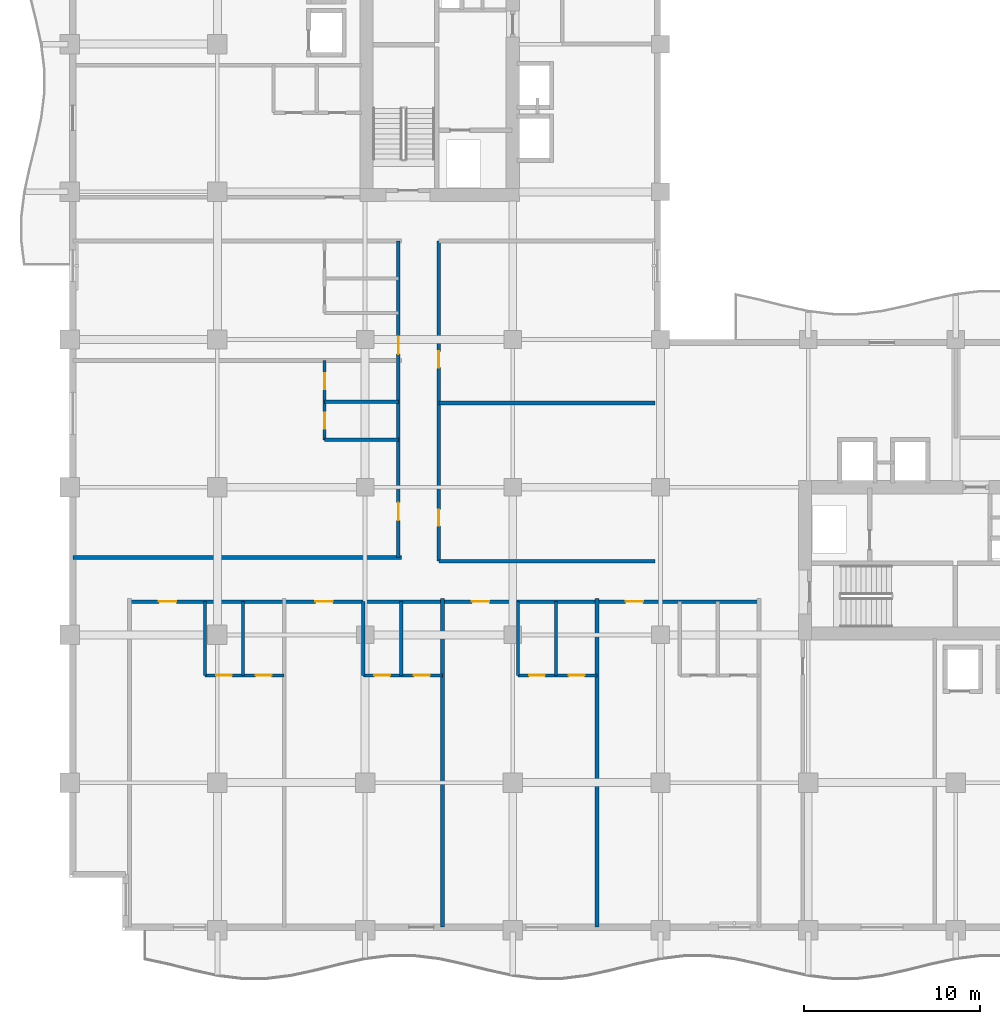
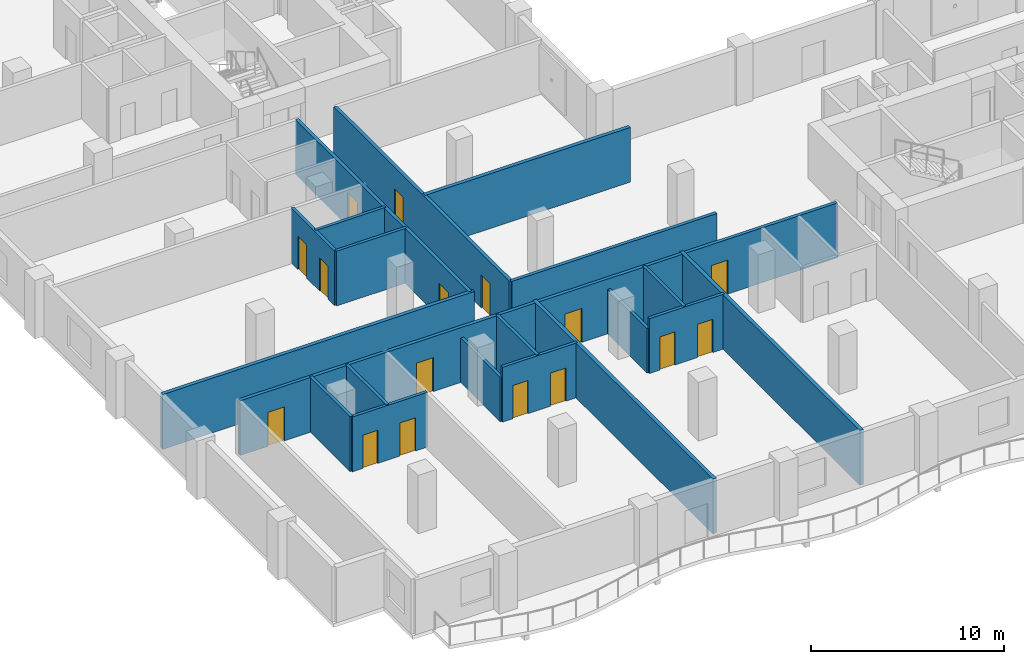
# One storey, part 4 of 16: 20 walls, 16 doors, 16 openings.
"""IFC4 building model written with IfcOpenShell, lengths in metres."""

import ifcopenshell
import ifcopenshell.guid

model = None  # the IFC model being written
_history = None  # IfcOwnerHistory: only IFC2X3 demands one
_inside = {}  # id of a spatial element -> (the spatial element, [elements in it])
_under = {}  # id of a project, library or spatial element -> (it, [spatial elements below it])
_declared = {}  # id of a project -> (the project, [libraries it declares])
_typed = {}  # id of a type object -> (the type object, [elements of that type])
_made_of = {}  # id of a material, layer set ... -> (it, [elements and type objects made of it])


def new_model(schema):
    """Start an empty IFC model of exactly this schema.

    Asked for "IFC4X3", IfcOpenShell would pick the latest addendum, in which some entities
    have other attributes; the version numbers below select the first issue.
    IFC2X3 requires an IfcOwnerHistory on every rooted entity: one is made here for all.
    """
    global model, _history
    if schema == "IFC4X3":
        model = ifcopenshell.file(schema_version=(4, 3, 0, 0))
    else:
        model = ifcopenshell.file(schema=schema)
    _inside.clear()
    _under.clear()
    _declared.clear()
    _typed.clear()
    _made_of.clear()
    _history = None
    if model.schema == "IFC2X3":
        org = make("IfcOrganization", Name="unknown")
        user = make(
            "IfcPersonAndOrganization",
            ThePerson=make("IfcPerson", FamilyName="unknown"),
            TheOrganization=org,
        )
        app = make(
            "IfcApplication",
            ApplicationDeveloper=org,
            Version="unknown",
            ApplicationFullName="unknown",
            ApplicationIdentifier="unknown",
        )
        _history = make(
            "IfcOwnerHistory",
            OwningUser=user,
            OwningApplication=app,
            ChangeAction="ADDED",
            CreationDate=0,
        )
    return model


def make(cls, **values):
    """One entity of the class cls with the attributes given. An attribute that is None is left unset."""
    return model.create_entity(
        cls, **{name: value for name, value in values.items() if value is not None}
    )


def rooted(cls, **values):
    """An entity with a GlobalId (a new one), such as an element, a storey or a relation."""
    return make(cls, GlobalId=ifcopenshell.guid.new(), OwnerHistory=_history, **values)


def si_unit(unit_type, name, prefix=None):
    """IfcSIUnit, for example si_unit("LENGTHUNIT", "METRE", prefix="MILLI")."""
    return make("IfcSIUnit", UnitType=unit_type, Prefix=prefix, Name=name)


def assignment(units):
    """IfcUnitAssignment: the units of a project."""
    return None if units is None else make("IfcUnitAssignment", Units=units)


def point(xyz):
    """IfcCartesianPoint."""
    return None if xyz is None else make("IfcCartesianPoint", Coordinates=xyz)


def direction(xyz):
    """IfcDirection."""
    return None if xyz is None else make("IfcDirection", DirectionRatios=xyz)


def frame(location, z_axis=None, x_axis=None):
    """IfcAxis2Placement3D, a coordinate frame: its origin and axes. An axis left out is left unset."""
    return make(
        "IfcAxis2Placement3D",
        Location=point(location),
        Axis=direction(z_axis),
        RefDirection=direction(x_axis),
    )


def frame_2d(location, x_axis=None):
    """IfcAxis2Placement2D, a coordinate frame in the plane: its origin and x axis."""
    return make(
        "IfcAxis2Placement2D", Location=point(location), RefDirection=direction(x_axis)
    )


def origin():
    """The frame at (0, 0, 0) with its axes left unset."""
    return frame((0.0, 0.0, 0.0))


def place(relative_to, where):
    """IfcLocalPlacement: puts the frame where relative to a parent placement (None: the world)."""
    return make(
        "IfcLocalPlacement", PlacementRelTo=relative_to, RelativePlacement=where
    )


def context(
    kind, dimensions, precision=None, world=None, true_north=None, identifier=None
):
    """IfcGeometricRepresentationContext, for example the 3D "Model" context."""
    return make(
        "IfcGeometricRepresentationContext",
        ContextIdentifier=identifier,
        ContextType=kind,
        CoordinateSpaceDimension=dimensions,
        Precision=precision,
        WorldCoordinateSystem=world,
        TrueNorth=true_north,
    )


def subcontext(parent, identifier, kind, view, scale=None):
    """IfcGeometricRepresentationSubContext, for example "Body" below "Model"."""
    return make(
        "IfcGeometricRepresentationSubContext",
        ContextIdentifier=identifier,
        ContextType=kind,
        ParentContext=parent,
        TargetScale=scale,
        TargetView=view,
    )


def project(units=None, contexts=None):
    """IfcProject with its units and contexts."""
    return rooted(
        "IfcProject",
        Name="project",
        RepresentationContexts=contexts,
        UnitsInContext=assignment(units),
    )


def spatial(cls, under=None, at=None, **own):
    """A site, building, storey or space (cls), placed at a placement, below another one or the project."""
    s = rooted(cls, ObjectPlacement=at, **own)
    if under is not None:
        _under.setdefault(under.id(), (under, []))[1].append(s)
    return s


def profile(cls, at=None, kind="AREA", **sizes):
    """A parametric profile (cls). Its sizes go by their IFC names, for example OverallWidth=200.0."""
    return make(cls, ProfileType=kind, Position=at, **sizes)


def rectangle(**sizes):
    """IfcRectangleProfileDef."""
    return profile("IfcRectangleProfileDef", **sizes)


def extrude(swept, where, along, depth):
    """IfcExtrudedAreaSolid: the profile swept, set in the frame where, extruded along a direction by depth."""
    return make(
        "IfcExtrudedAreaSolid",
        SweptArea=swept,
        Position=where,
        ExtrudedDirection=direction(along),
        Depth=depth,
    )


def shape(context_of_items, identifier, shape_type, items):
    """IfcShapeRepresentation: the items that make up one representation, for example the "Body"."""
    return make(
        "IfcShapeRepresentation",
        ContextOfItems=context_of_items,
        RepresentationIdentifier=identifier,
        RepresentationType=shape_type,
        Items=items,
    )


def material(Name=None, Category=None):
    """IfcMaterial."""
    return make("IfcMaterial", Name=Name, Category=Category)


def layer(
    of_material, thickness, ventilated=None, Name=None, Category=None, Priority=None
):
    """IfcMaterialLayer: one layer of a wall or slab, of a material (None: an air gap)."""
    return make(
        "IfcMaterialLayer",
        Material=of_material,
        LayerThickness=thickness,
        IsVentilated=ventilated,
        Name=Name,
        Category=Category,
        Priority=Priority,
    )


def layer_set(layers, Name=None):
    """IfcMaterialLayerSet."""
    return make("IfcMaterialLayerSet", MaterialLayers=layers, LayerSetName=Name)


def made_of(thing, what):
    """Note that an element or type object is made of a material, layer set ...; save() writes the relation."""
    if what is not None:
        _made_of.setdefault(what.id(), (what, []))[1].append(thing)
    return thing


def type_object(cls, material=None, **own):
    """A type object (cls), such as IfcWallType, which elements share."""
    return made_of(rooted(cls, **own), material)


def element(
    cls,
    number,
    at=None,
    inside=None,
    cuts=None,
    type_object=None,
    material=None,
    context=None,
    identifier="Body",
    shape_type=None,
    held_by="IfcProductDefinitionShape",
    body=None,
    shapes=None,
    **own,
):
    """One element of the class cls, such as IfcWall. Its Tag is "e" and its number.

    at: its placement. inside: the storey or other place that contains it. cuts: it is an
    opening in that element (IfcRelVoidsElement). A single representation is given by context,
    identifier, shape_type and body (its items); several are given by shapes. held_by: the class
    of the entity that holds the representations. save() writes the other relations.
    """
    e = rooted(cls, Tag="e%d" % number, ObjectPlacement=at, **own)
    if body is not None:
        shapes = [shape(context, identifier, shape_type, body)]
    if shapes is not None:
        e.Representation = make(held_by, Representations=shapes)
    if inside is not None:
        _inside.setdefault(inside.id(), (inside, []))[1].append(e)
    if cuts is not None:
        rooted(
            "IfcRelVoidsElement", RelatingBuildingElement=cuts, RelatedOpeningElement=e
        )
    if type_object is not None:
        _typed.setdefault(type_object.id(), (type_object, []))[1].append(e)
    return made_of(e, material)


def fill(opening, filler):
    """IfcRelFillsElement: the door or window that sits in an opening."""
    return rooted(
        "IfcRelFillsElement",
        RelatingOpeningElement=opening,
        RelatedBuildingElement=filler,
    )


def aggregate(whole, parts):
    """IfcRelAggregates: a whole, such as a stair, and the parts it consists of."""
    return rooted("IfcRelAggregates", RelatingObject=whole, RelatedObjects=parts)


def save(model, path):
    """Write the relations noted so far, then the file.

    IfcRelAggregates (storeys below a building ...), IfcRelContainedInSpatialStructure (elements
    in a storey), IfcRelDefinesByType, IfcRelAssociatesMaterial and IfcRelDeclares: one each for
    every whole, place, type object, material and project.
    """
    for whole, parts in _under.values():
        aggregate(whole, parts)
    for where, things in _inside.values():
        rooted(
            "IfcRelContainedInSpatialStructure",
            RelatedElements=things,
            RelatingStructure=where,
        )
    for kind, things in _typed.values():
        rooted("IfcRelDefinesByType", RelatedObjects=things, RelatingType=kind)
    for what, things in _made_of.values():
        rooted("IfcRelAssociatesMaterial", RelatedObjects=things, RelatingMaterial=what)
    for by, libraries in _declared.values():
        rooted("IfcRelDeclares", RelatingContext=by, RelatedDefinitions=libraries)
    model.write(path)


model = new_model("IFC4")

# Units and contexts
model_context = context("Model", 3, precision=1e-05, world=origin(), true_north=direction((0.0, 1.0)))
body_context = subcontext(model_context, "Body", "Model", "MODEL_VIEW")
ifc_project = project(units=[si_unit("LENGTHUNIT", "METRE"), si_unit("AREAUNIT", "SQUARE_METRE"), si_unit("VOLUMEUNIT", "CUBIC_METRE"), si_unit("PLANEANGLEUNIT", "RADIAN"), si_unit("MASSUNIT", "GRAM", prefix="KILO")], contexts=[model_context])

# Site, building, storey
site_placement = place(None, origin())
site = spatial("IfcSite", under=ifc_project, at=site_placement, CompositionType="ELEMENT")
building_placement = place(site_placement, origin())
building = spatial("IfcBuilding", under=site, at=building_placement, Name="Koriwani Terraces Tower", CompositionType="ELEMENT")
storey_placement = place(building_placement, frame((0.0, 0.0, 171.699951171875)))
storey = spatial("IfcBuildingStorey", under=building, at=storey_placement, Name="L41", CompositionType="ELEMENT", Elevation=171.699951171875)

# Wall, openings, doors
ifc_material_1 = material(Name="Autoclaved Cellular Concrete Blockwork", Category="masonry")
ifc_layer_1 = layer(ifc_material_1, 0.199951171875, Name="Autoclaved Cellular Concrete Blockwork")
ifc_layer_set_1 = layer_set([ifc_layer_1], Name="Autoclaved Cellular Concrete Blockwork")
wall_type_1 = type_object("IfcWallType", Name="WALL_CORRIDOR_200", PredefinedType="PARTITIONING", material=ifc_layer_set_1)
wall_1_placement = place(storey_placement, frame((21.0, 21.0, 0.0), z_axis=(0.0, 0.0, 1.0), x_axis=(0.0, 1.0, 0.0)))
wall_1 = element("IfcWall", 1, at=wall_1_placement, inside=storey, type_object=wall_type_1, Name="L41 Interior Wall WIC2-W-L41", PredefinedType="PARTITIONING", context=body_context, shape_type="SweptSolid", body=[
    extrude(rectangle(XDim=18.199951171875, YDim=0.199951171875, at=frame_2d((9.10009765625, 0.0))), origin(), (0.0, 0.0, 1.0), 3.469970703125),
])
opening_1_placement = place(wall_1_placement, frame((2.0, 0.0, 0.0)))
opening_1 = element("IfcOpeningElement", 2, at=opening_1_placement, cuts=wall_1, Name="Opening D-06", PredefinedType="OPENING", context=body_context, shape_type="SweptSolid", body=[
    extrude(rectangle(XDim=0.919921875, YDim=2.10009765625, at=frame_2d((0.4599609375, 1.050048828125))), frame((0.0, 0.10986328125, 0.0), z_axis=(0.0, -1.0, 0.0), x_axis=(1.0, 0.0, 0.0)), (0.0, 0.0, 1.0), 0.219970703125),
])
opening_2_placement = place(wall_1_placement, frame((11.0, 0.0, 0.0)))
opening_2 = element("IfcOpeningElement", 3, at=opening_2_placement, cuts=wall_1, Name="Opening D-06", PredefinedType="OPENING", context=body_context, shape_type="SweptSolid", body=[
    extrude(rectangle(XDim=0.919921875, YDim=2.10009765625, at=frame_2d((0.4599609375, 1.050048828125))), frame((0.0, 0.10986328125, 0.0), z_axis=(0.0, -1.0, 0.0), x_axis=(1.0, 0.0, 0.0)), (0.0, 0.0, 1.0), 0.219970703125),
])
ifc_material_2 = material(Name="Architectural Oak Fire Door", Category="wood")
door_type_1 = type_object("IfcDoorType", Name="DOOR_ROOM_INT_920X2100", OperationType="NOTDEFINED", PredefinedType="DOOR", material=ifc_material_2)
door_1_placement = place(opening_1_placement, origin())
door_1 = element("IfcDoor", 4, at=door_1_placement, inside=storey, type_object=door_type_1, Name="L41 Inner Court Salon Door", OperationType="SINGLE_SWING_LEFT", OverallHeight=2.10009765625, OverallWidth=0.919921875, PredefinedType="DOOR", context=body_context, shape_type="SweptSolid", body=[
    extrude(rectangle(XDim=0.919921875, YDim=2.10009765625, at=frame_2d((0.4599609375, 1.050048828125))), frame((0.0, 0.02490234375, 0.0), z_axis=(0.0, -1.0, 0.0), x_axis=(1.0, 0.0, 0.0)), (0.0, 0.0, 1.0), 0.050048828125),
])
fill(opening_1, door_1)
door_2_placement = place(opening_2_placement, origin())
door_2 = element("IfcDoor", 5, at=door_2_placement, inside=storey, type_object=door_type_1, Name="L41 Inner Court Media Room Door", OperationType="SINGLE_SWING_RIGHT", OverallHeight=2.10009765625, OverallWidth=0.919921875, PredefinedType="DOOR", context=body_context, shape_type="SweptSolid", body=[
    extrude(rectangle(XDim=0.919921875, YDim=2.10009765625, at=frame_2d((0.4599609375, 1.050048828125))), frame((0.0, 0.02490234375, 0.0), z_axis=(0.0, -1.0, 0.0), x_axis=(1.0, 0.0, 0.0)), (0.0, 0.0, 1.0), 0.050048828125),
])
fill(opening_2, door_2)

# Wall
wall_2_placement = place(storey_placement, frame((21.0, 21.0, 0.0), z_axis=(0.0, 0.0, 1.0), x_axis=(1.0, 0.0, 0.0)))
element("IfcWall", 6, at=wall_2_placement, inside=storey, type_object=wall_type_1, Name="L41 Interior Wall WIC2-S-L41", PredefinedType="PARTITIONING", context=body_context, shape_type="SweptSolid", body=[
    extrude(rectangle(XDim=12.300048828125, YDim=0.199951171875, at=frame_2d((6.14990234375, 0.0))), origin(), (0.0, 0.0, 1.0), 3.469970703125),
])

# Wall, openings, doors
wall_3_placement = place(storey_placement, frame((3.39990234375, 18.699951171875, 0.0), z_axis=(0.0, 0.0, 1.0), x_axis=(1.0, 0.0, 0.0)))
wall_3 = element("IfcWall", 7, at=wall_3_placement, inside=storey, type_object=wall_type_1, Name="L41 Interior Wall WRCOR-L41-SW-0", PredefinedType="PARTITIONING", context=body_context, shape_type="SweptSolid", body=[
    extrude(rectangle(XDim=35.800048828125, YDim=0.199951171875, at=frame_2d((17.89990234375, 0.0))), origin(), (0.0, 0.0, 1.0), 3.469970703125),
])
opening_3_placement = place(wall_3_placement, frame((1.669921875, 0.0, 0.0)))
opening_3 = element("IfcOpeningElement", 8, at=opening_3_placement, cuts=wall_3, Name="Opening D-05", PredefinedType="OPENING", context=body_context, shape_type="SweptSolid", body=[
    extrude(rectangle(XDim=1.0, YDim=2.14990234375, at=frame_2d((0.5, 1.074951171875))), frame((0.0, 0.10986328125, 0.0), z_axis=(0.0, -1.0, 0.0), x_axis=(1.0, 0.0, 0.0)), (0.0, 0.0, 1.0), 0.219970703125),
])
opening_4_placement = place(wall_3_placement, frame((10.570068359375, 0.0, 0.0)))
opening_4 = element("IfcOpeningElement", 9, at=opening_4_placement, cuts=wall_3, Name="Opening D-05", PredefinedType="OPENING", context=body_context, shape_type="SweptSolid", body=[
    extrude(rectangle(XDim=1.0, YDim=2.14990234375, at=frame_2d((0.5, 1.074951171875))), frame((0.0, 0.10986328125, 0.0), z_axis=(0.0, -1.0, 0.0), x_axis=(1.0, 0.0, 0.0)), (0.0, 0.0, 1.0), 0.219970703125),
])
opening_5_placement = place(wall_3_placement, frame((19.469970703125, 0.0, 0.0)))
opening_5 = element("IfcOpeningElement", 10, at=opening_5_placement, cuts=wall_3, Name="Opening D-05", PredefinedType="OPENING", context=body_context, shape_type="SweptSolid", body=[
    extrude(rectangle(XDim=1.0, YDim=2.14990234375, at=frame_2d((0.5, 1.074951171875))), frame((0.0, 0.10986328125, 0.0), z_axis=(0.0, -1.0, 0.0), x_axis=(1.0, 0.0, 0.0)), (0.0, 0.0, 1.0), 0.219970703125),
])
opening_6_placement = place(wall_3_placement, frame((28.219970703125, 0.0, 0.0)))
opening_6 = element("IfcOpeningElement", 11, at=opening_6_placement, cuts=wall_3, Name="Opening D-05", PredefinedType="OPENING", context=body_context, shape_type="SweptSolid", body=[
    extrude(rectangle(XDim=1.0, YDim=2.14990234375, at=frame_2d((0.5, 1.074951171875))), frame((0.0, 0.10986328125, 0.0), z_axis=(0.0, -1.0, 0.0), x_axis=(1.0, 0.0, 0.0)), (0.0, 0.0, 1.0), 0.219970703125),
])
door_type_2 = type_object("IfcDoorType", Name="DOOR_SUITE_ENTRY_1000X2150", OperationType="NOTDEFINED", PredefinedType="DOOR", material=ifc_material_2)
door_3_placement = place(opening_3_placement, origin())
door_3 = element("IfcDoor", 12, at=door_3_placement, inside=storey, type_object=door_type_2, Name="Apartment 41SW1 Entrance Door", OperationType="SINGLE_SWING_LEFT", OverallHeight=2.14990234375, OverallWidth=1.0, PredefinedType="DOOR", context=body_context, shape_type="SweptSolid", body=[
    extrude(rectangle(XDim=1.0, YDim=2.14990234375, at=frame_2d((0.5, 1.074951171875))), frame((0.0, 0.02490234375, 0.0), z_axis=(0.0, -1.0, 0.0), x_axis=(1.0, 0.0, 0.0)), (0.0, 0.0, 1.0), 0.050048828125),
])
fill(opening_3, door_3)
door_4_placement = place(opening_4_placement, origin())
door_4 = element("IfcDoor", 13, at=door_4_placement, inside=storey, type_object=door_type_2, Name="Apartment 41SW2 Entrance Door", OperationType="SINGLE_SWING_RIGHT", OverallHeight=2.14990234375, OverallWidth=1.0, PredefinedType="DOOR", context=body_context, shape_type="SweptSolid", body=[
    extrude(rectangle(XDim=1.0, YDim=2.14990234375, at=frame_2d((0.5, 1.074951171875))), frame((0.0, 0.02490234375, 0.0), z_axis=(0.0, -1.0, 0.0), x_axis=(1.0, 0.0, 0.0)), (0.0, 0.0, 1.0), 0.050048828125),
])
fill(opening_4, door_4)
door_5_placement = place(opening_5_placement, origin())
door_5 = element("IfcDoor", 14, at=door_5_placement, inside=storey, type_object=door_type_2, Name="Apartment 41SW3 Entrance Door", OperationType="SINGLE_SWING_LEFT", OverallHeight=2.14990234375, OverallWidth=1.0, PredefinedType="DOOR", context=body_context, shape_type="SweptSolid", body=[
    extrude(rectangle(XDim=1.0, YDim=2.14990234375, at=frame_2d((0.5, 1.074951171875))), frame((0.0, 0.02490234375, 0.0), z_axis=(0.0, -1.0, 0.0), x_axis=(1.0, 0.0, 0.0)), (0.0, 0.0, 1.0), 0.050048828125),
])
fill(opening_5, door_5)
door_6_placement = place(opening_6_placement, origin())
door_6 = element("IfcDoor", 15, at=door_6_placement, inside=storey, type_object=door_type_2, Name="Apartment 41SW4 Entrance Door", OperationType="SINGLE_SWING_RIGHT", OverallHeight=2.14990234375, OverallWidth=1.0, PredefinedType="DOOR", context=body_context, shape_type="SweptSolid", body=[
    extrude(rectangle(XDim=1.0, YDim=2.14990234375, at=frame_2d((0.5, 1.074951171875))), frame((0.0, 0.02490234375, 0.0), z_axis=(0.0, -1.0, 0.0), x_axis=(1.0, 0.0, 0.0)), (0.0, 0.0, 1.0), 0.050048828125),
])
fill(opening_6, door_6)

wall_4_placement = place(storey_placement, frame((18.699951171875, 21.199951171875, 0.0), z_axis=(0.0, 0.0, 1.0), x_axis=(0.0, 1.0, 0.0)))
wall_4 = element("IfcWall", 16, at=wall_4_placement, inside=storey, type_object=wall_type_1, Name="L41 Interior Wall WRCOR-L41-NW-0", PredefinedType="PARTITIONING", context=body_context, shape_type="SweptSolid", body=[
    extrude(rectangle(XDim=18.0, YDim=0.199951171875, at=frame_2d((9.0, 0.0))), origin(), (0.0, 0.0, 1.0), 3.469970703125),
])
opening_7_placement = place(wall_4_placement, frame((2.1201171875, 0.0, 0.0)))
opening_7 = element("IfcOpeningElement", 17, at=opening_7_placement, cuts=wall_4, Name="Opening D-05", PredefinedType="OPENING", context=body_context, shape_type="SweptSolid", body=[
    extrude(rectangle(XDim=1.0, YDim=2.14990234375, at=frame_2d((0.5, 1.074951171875))), frame((0.0, 0.10986328125, 0.0), z_axis=(0.0, -1.0, 0.0), x_axis=(1.0, 0.0, 0.0)), (0.0, 0.0, 1.0), 0.219970703125),
])
opening_8_placement = place(wall_4_placement, frame((11.570068359375, 0.0, 0.0)))
opening_8 = element("IfcOpeningElement", 18, at=opening_8_placement, cuts=wall_4, Name="Opening D-05", PredefinedType="OPENING", context=body_context, shape_type="SweptSolid", body=[
    extrude(rectangle(XDim=1.0, YDim=2.14990234375, at=frame_2d((0.5, 1.074951171875))), frame((0.0, 0.10986328125, 0.0), z_axis=(0.0, -1.0, 0.0), x_axis=(1.0, 0.0, 0.0)), (0.0, 0.0, 1.0), 0.219970703125),
])
door_7_placement = place(opening_7_placement, origin())
door_7 = element("IfcDoor", 19, at=door_7_placement, inside=storey, type_object=door_type_2, Name="Apartment 41NW1 Entrance Door", OperationType="SINGLE_SWING_LEFT", OverallHeight=2.14990234375, OverallWidth=1.0, PredefinedType="DOOR", context=body_context, shape_type="SweptSolid", body=[
    extrude(rectangle(XDim=1.0, YDim=2.14990234375, at=frame_2d((0.5, 1.074951171875))), frame((0.0, 0.02490234375, 0.0), z_axis=(0.0, -1.0, 0.0), x_axis=(1.0, 0.0, 0.0)), (0.0, 0.0, 1.0), 0.050048828125),
])
fill(opening_7, door_7)
door_8_placement = place(opening_8_placement, origin())
door_8 = element("IfcDoor", 20, at=door_8_placement, inside=storey, type_object=door_type_2, Name="Apartment 41NW2 Entrance Door", OperationType="SINGLE_SWING_RIGHT", OverallHeight=2.14990234375, OverallWidth=1.0, PredefinedType="DOOR", context=body_context, shape_type="SweptSolid", body=[
    extrude(rectangle(XDim=1.0, YDim=2.14990234375, at=frame_2d((0.5, 1.074951171875))), frame((0.0, 0.02490234375, 0.0), z_axis=(0.0, -1.0, 0.0), x_axis=(1.0, 0.0, 0.0)), (0.0, 0.0, 1.0), 0.050048828125),
])
fill(opening_8, door_8)

# Walls
ifc_layer_2 = layer(ifc_material_1, 0.219970703125, Name="Autoclaved Cellular Concrete Blockwork")
ifc_layer_set_2 = layer_set([ifc_layer_2], Name="Autoclaved Cellular Concrete Blockwork")
wall_type_2 = type_object("IfcWallType", Name="WALL_DEMISING_220", PredefinedType="PARTITIONING", material=ifc_layer_set_2)
wall_5_placement = place(storey_placement, frame((21.0, 30.0, 0.0), z_axis=(0.0, 0.0, 1.0), x_axis=(1.0, 0.0, 0.0)))
element("IfcWall", 21, at=wall_5_placement, inside=storey, type_object=wall_type_2, Name="L41 Interior Wall WIC2-M-L41", PredefinedType="PARTITIONING", context=body_context, shape_type="SweptSolid", body=[
    extrude(rectangle(XDim=12.300048828125, YDim=0.219970703125, at=frame_2d((6.14990234375, 0.0))), origin(), (0.0, 0.0, 1.0), 3.469970703125),
])
for number, where, z_axis, x_axis, name in (
    (22, (21.199951171875, 0.199951171875, 0.0), (0.0, 0.0, 1.0), (0.0, 1.0, 0.0), "L41 Interior Wall WRDEM-L41-SW-2"),
    (23, (30.0, 0.199951171875, 0.0), (0.0, 0.0, 1.0), (0.0, 1.0, 0.0), "L41 Interior Wall WRDEM-L41-SW-3"),
    (24, (0.199951171875, 21.199951171875, 0.0), (0.0, 0.0, 1.0), (1.0, 0.0, 0.0), "L41 Interior Wall WRDEM-L41-NW-0"),
):
    element("IfcWall", number, at=place(storey_placement, frame(where, z_axis=z_axis, x_axis=x_axis)), inside=storey, type_object=wall_type_2, Name=name, PredefinedType="PARTITIONING", context=body_context, shape_type="SweptSolid", body=[
        extrude(rectangle(XDim=18.679931640625, YDim=0.219970703125, at=frame_2d((9.33984375, 0.0))), origin(), (0.0, 0.0, 1.0), 3.469970703125),
    ])

# Wall, openings, doors
ifc_material_3 = material(Name="Fire-Rated Acoustic Gypsum Partition", Category="masonry")
ifc_layer_3 = layer(ifc_material_3, 0.179931640625, Name="Fire-Rated Acoustic Gypsum Partition")
ifc_layer_set_3 = layer_set([ifc_layer_3], Name="Fire-Rated Acoustic Gypsum Partition")
wall_type_3 = type_object("IfcWallType", Name="WALL_PLUMBING_180", PredefinedType="PLUMBINGWALL", material=ifc_layer_set_3)
wall_6_placement = place(storey_placement, frame((7.699951171875, 14.5, 0.0), z_axis=(0.0, 0.0, 1.0), x_axis=(1.0, 0.0, 0.0)))
wall_6 = element("IfcWall", 25, at=wall_6_placement, inside=storey, type_object=wall_type_3, Name="L41 Interior Wall WRSVC-L41-SW-0", PredefinedType="PLUMBINGWALL", context=body_context, shape_type="SweptSolid", body=[
    extrude(rectangle(XDim=4.5, YDim=0.179931640625, at=frame_2d((2.25, 0.0))), origin(), (0.0, 0.0, 1.0), 3.469970703125),
])
opening_9_placement = place(wall_6_placement, frame((0.6298828125, 0.0, 0.0)))
opening_9 = element("IfcOpeningElement", 26, at=opening_9_placement, cuts=wall_6, Name="Opening D-07", PredefinedType="OPENING", context=body_context, shape_type="SweptSolid", body=[
    extrude(rectangle(XDim=0.89990234375, YDim=2.10009765625, at=frame_2d((0.449951171875, 1.050048828125))), frame((0.0, 0.10009765625, 0.0), z_axis=(0.0, -1.0, 0.0), x_axis=(1.0, 0.0, 0.0)), (0.0, 0.0, 1.0), 0.199951171875),
])
opening_10_placement = place(wall_6_placement, frame((2.8701171875, 0.0, 0.0)))
opening_10 = element("IfcOpeningElement", 27, at=opening_10_placement, cuts=wall_6, Name="Opening D-06", PredefinedType="OPENING", context=body_context, shape_type="SweptSolid", body=[
    extrude(rectangle(XDim=0.919921875, YDim=2.10009765625, at=frame_2d((0.4599609375, 1.050048828125))), frame((0.0, 0.10009765625, 0.0), z_axis=(0.0, -1.0, 0.0), x_axis=(1.0, 0.0, 0.0)), (0.0, 0.0, 1.0), 0.199951171875),
])
door_type_3 = type_object("IfcDoorType", Name="DOOR_BATH_INT_900X2100", OperationType="NOTDEFINED", PredefinedType="DOOR", material=ifc_material_2)
door_9_placement = place(opening_9_placement, origin())
door_9 = element("IfcDoor", 28, at=door_9_placement, inside=storey, type_object=door_type_3, Name="Apartment 41SW1 Bathroom Door", OperationType="SINGLE_SWING_RIGHT", OverallHeight=2.10009765625, OverallWidth=0.89990234375, PredefinedType="DOOR", context=body_context, shape_type="SweptSolid", body=[
    extrude(rectangle(XDim=0.89990234375, YDim=2.10009765625, at=frame_2d((0.449951171875, 1.050048828125))), frame((0.0, 0.02490234375, 0.0), z_axis=(0.0, -1.0, 0.0), x_axis=(1.0, 0.0, 0.0)), (0.0, 0.0, 1.0), 0.050048828125),
])
fill(opening_9, door_9)
door_10_placement = place(opening_10_placement, origin())
door_10 = element("IfcDoor", 29, at=door_10_placement, inside=storey, type_object=door_type_1, Name="Apartment 41SW1 Kitchen Door", OperationType="SINGLE_SWING_LEFT", OverallHeight=2.10009765625, OverallWidth=0.919921875, PredefinedType="DOOR", context=body_context, shape_type="SweptSolid", body=[
    extrude(rectangle(XDim=0.919921875, YDim=2.10009765625, at=frame_2d((0.4599609375, 1.050048828125))), frame((0.0, 0.02490234375, 0.0), z_axis=(0.0, -1.0, 0.0), x_axis=(1.0, 0.0, 0.0)), (0.0, 0.0, 1.0), 0.050048828125),
])
fill(opening_10, door_10)

# Walls
for number, where, z_axis, x_axis, name in (
    (30, (7.699951171875, 14.5, 0.0), (0.0, 0.0, 1.0), (0.0, 1.0, 0.0), "L41 Interior Wall WRSVCS-L41-SW-0"),
    (31, (9.860107421875, 14.5, 0.0), (0.0, 0.0, 1.0), (0.0, 1.0, 0.0), "L41 Interior Wall WRSVCM-L41-SW-0"),
):
    element("IfcWall", number, at=place(storey_placement, frame(where, z_axis=z_axis, x_axis=x_axis)), inside=storey, type_object=wall_type_3, Name=name, PredefinedType="PLUMBINGWALL", context=body_context, shape_type="SweptSolid", body=[
        extrude(rectangle(XDim=4.199951171875, YDim=0.179931640625, at=frame_2d((2.10009765625, 0.0))), origin(), (0.0, 0.0, 1.0), 3.469970703125),
    ])

# Wall, openings, doors
wall_7_placement = place(storey_placement, frame((16.699951171875, 14.5, 0.0), z_axis=(0.0, 0.0, 1.0), x_axis=(1.0, 0.0, 0.0)))
wall_7 = element("IfcWall", 32, at=wall_7_placement, inside=storey, type_object=wall_type_3, Name="L41 Interior Wall WRSVC-L41-SW-1", PredefinedType="PLUMBINGWALL", context=body_context, shape_type="SweptSolid", body=[
    extrude(rectangle(XDim=4.5, YDim=0.179931640625, at=frame_2d((2.25, 0.0))), origin(), (0.0, 0.0, 1.0), 3.469970703125),
])
opening_11_placement = place(wall_7_placement, frame((0.6298828125, 0.0, 0.0)))
opening_11 = element("IfcOpeningElement", 33, at=opening_11_placement, cuts=wall_7, Name="Opening D-07", PredefinedType="OPENING", context=body_context, shape_type="SweptSolid", body=[
    extrude(rectangle(XDim=0.89990234375, YDim=2.10009765625, at=frame_2d((0.449951171875, 1.050048828125))), frame((0.0, 0.10009765625, 0.0), z_axis=(0.0, -1.0, 0.0), x_axis=(1.0, 0.0, 0.0)), (0.0, 0.0, 1.0), 0.199951171875),
])
opening_12_placement = place(wall_7_placement, frame((2.8701171875, 0.0, 0.0)))
opening_12 = element("IfcOpeningElement", 34, at=opening_12_placement, cuts=wall_7, Name="Opening D-06", PredefinedType="OPENING", context=body_context, shape_type="SweptSolid", body=[
    extrude(rectangle(XDim=0.919921875, YDim=2.10009765625, at=frame_2d((0.4599609375, 1.050048828125))), frame((0.0, 0.10009765625, 0.0), z_axis=(0.0, -1.0, 0.0), x_axis=(1.0, 0.0, 0.0)), (0.0, 0.0, 1.0), 0.199951171875),
])
door_11_placement = place(opening_11_placement, origin())
door_11 = element("IfcDoor", 35, at=door_11_placement, inside=storey, type_object=door_type_3, Name="Apartment 41SW2 Bathroom Door", OperationType="SINGLE_SWING_LEFT", OverallHeight=2.10009765625, OverallWidth=0.89990234375, PredefinedType="DOOR", context=body_context, shape_type="SweptSolid", body=[
    extrude(rectangle(XDim=0.89990234375, YDim=2.10009765625, at=frame_2d((0.449951171875, 1.050048828125))), frame((0.0, 0.02490234375, 0.0), z_axis=(0.0, -1.0, 0.0), x_axis=(1.0, 0.0, 0.0)), (0.0, 0.0, 1.0), 0.050048828125),
])
fill(opening_11, door_11)
door_12_placement = place(opening_12_placement, origin())
door_12 = element("IfcDoor", 36, at=door_12_placement, inside=storey, type_object=door_type_1, Name="Apartment 41SW2 Kitchen Door", OperationType="SINGLE_SWING_RIGHT", OverallHeight=2.10009765625, OverallWidth=0.919921875, PredefinedType="DOOR", context=body_context, shape_type="SweptSolid", body=[
    extrude(rectangle(XDim=0.919921875, YDim=2.10009765625, at=frame_2d((0.4599609375, 1.050048828125))), frame((0.0, 0.02490234375, 0.0), z_axis=(0.0, -1.0, 0.0), x_axis=(1.0, 0.0, 0.0)), (0.0, 0.0, 1.0), 0.050048828125),
])
fill(opening_12, door_12)

# Walls
wall_8_placement = place(storey_placement, frame((16.699951171875, 14.5, 0.0), z_axis=(0.0, 0.0, 1.0), x_axis=(0.0, 1.0, 0.0)))
element("IfcWall", 37, at=wall_8_placement, inside=storey, type_object=wall_type_3, Name="L41 Interior Wall WRSVCS-L41-SW-1", PredefinedType="PLUMBINGWALL", context=body_context, shape_type="SweptSolid", body=[
    extrude(rectangle(XDim=4.199951171875, YDim=0.179931640625, at=frame_2d((2.10009765625, 0.0))), origin(), (0.0, 0.0, 1.0), 2.820068359375),
])
wall_9_placement = place(storey_placement, frame((18.860107421875, 14.5, 0.0), z_axis=(0.0, 0.0, 1.0), x_axis=(0.0, 1.0, 0.0)))
element("IfcWall", 38, at=wall_9_placement, inside=storey, type_object=wall_type_3, Name="L41 Interior Wall WRSVCM-L41-SW-1", PredefinedType="PLUMBINGWALL", context=body_context, shape_type="SweptSolid", body=[
    extrude(rectangle(XDim=4.199951171875, YDim=0.179931640625, at=frame_2d((2.10009765625, 0.0))), origin(), (0.0, 0.0, 1.0), 3.469970703125),
])

# Wall, openings, doors
wall_10_placement = place(storey_placement, frame((25.5, 14.5, 0.0), z_axis=(0.0, 0.0, 1.0), x_axis=(1.0, 0.0, 0.0)))
wall_10 = element("IfcWall", 39, at=wall_10_placement, inside=storey, type_object=wall_type_3, Name="L41 Interior Wall WRSVC-L41-SW-2", PredefinedType="PLUMBINGWALL", context=body_context, shape_type="SweptSolid", body=[
    extrude(rectangle(XDim=4.5, YDim=0.179931640625, at=frame_2d((2.25, 0.0))), origin(), (0.0, 0.0, 1.0), 3.469970703125),
])
opening_13_placement = place(wall_10_placement, frame((0.6298828125, 0.0, 0.0)))
opening_13 = element("IfcOpeningElement", 40, at=opening_13_placement, cuts=wall_10, Name="Opening D-07", PredefinedType="OPENING", context=body_context, shape_type="SweptSolid", body=[
    extrude(rectangle(XDim=0.89990234375, YDim=2.10009765625, at=frame_2d((0.449951171875, 1.050048828125))), frame((0.0, 0.10009765625, 0.0), z_axis=(0.0, -1.0, 0.0), x_axis=(1.0, 0.0, 0.0)), (0.0, 0.0, 1.0), 0.199951171875),
])
opening_14_placement = place(wall_10_placement, frame((2.8701171875, 0.0, 0.0)))
opening_14 = element("IfcOpeningElement", 41, at=opening_14_placement, cuts=wall_10, Name="Opening D-06", PredefinedType="OPENING", context=body_context, shape_type="SweptSolid", body=[
    extrude(rectangle(XDim=0.919921875, YDim=2.10009765625, at=frame_2d((0.4599609375, 1.050048828125))), frame((0.0, 0.10009765625, 0.0), z_axis=(0.0, -1.0, 0.0), x_axis=(1.0, 0.0, 0.0)), (0.0, 0.0, 1.0), 0.199951171875),
])
door_13_placement = place(opening_13_placement, origin())
door_13 = element("IfcDoor", 42, at=door_13_placement, inside=storey, type_object=door_type_3, Name="Apartment 41SW3 Bathroom Door", OperationType="SINGLE_SWING_RIGHT", OverallHeight=2.10009765625, OverallWidth=0.89990234375, PredefinedType="DOOR", context=body_context, shape_type="SweptSolid", body=[
    extrude(rectangle(XDim=0.89990234375, YDim=2.10009765625, at=frame_2d((0.449951171875, 1.050048828125))), frame((0.0, 0.02490234375, 0.0), z_axis=(0.0, -1.0, 0.0), x_axis=(1.0, 0.0, 0.0)), (0.0, 0.0, 1.0), 0.050048828125),
])
fill(opening_13, door_13)
door_14_placement = place(opening_14_placement, origin())
door_14 = element("IfcDoor", 43, at=door_14_placement, inside=storey, type_object=door_type_1, Name="Apartment 41SW3 Kitchen Door", OperationType="SINGLE_SWING_LEFT", OverallHeight=2.10009765625, OverallWidth=0.919921875, PredefinedType="DOOR", context=body_context, shape_type="SweptSolid", body=[
    extrude(rectangle(XDim=0.919921875, YDim=2.10009765625, at=frame_2d((0.4599609375, 1.050048828125))), frame((0.0, 0.02490234375, 0.0), z_axis=(0.0, -1.0, 0.0), x_axis=(1.0, 0.0, 0.0)), (0.0, 0.0, 1.0), 0.050048828125),
])
fill(opening_14, door_14)

# Walls
wall_11_placement = place(storey_placement, frame((25.5, 14.5, 0.0), z_axis=(0.0, 0.0, 1.0), x_axis=(0.0, 1.0, 0.0)))
element("IfcWall", 44, at=wall_11_placement, inside=storey, type_object=wall_type_3, Name="L41 Interior Wall WRSVCS-L41-SW-2", PredefinedType="PLUMBINGWALL", context=body_context, shape_type="SweptSolid", body=[
    extrude(rectangle(XDim=4.199951171875, YDim=0.179931640625, at=frame_2d((2.10009765625, 0.0))), origin(), (0.0, 0.0, 1.0), 2.820068359375),
])
wall_12_placement = place(storey_placement, frame((27.659912109375, 14.5, 0.0), z_axis=(0.0, 0.0, 1.0), x_axis=(0.0, 1.0, 0.0)))
element("IfcWall", 45, at=wall_12_placement, inside=storey, type_object=wall_type_3, Name="L41 Interior Wall WRSVCM-L41-SW-2", PredefinedType="PLUMBINGWALL", context=body_context, shape_type="SweptSolid", body=[
    extrude(rectangle(XDim=4.199951171875, YDim=0.179931640625, at=frame_2d((2.10009765625, 0.0))), origin(), (0.0, 0.0, 1.0), 3.469970703125),
])

# Wall, openings, doors
wall_13_placement = place(storey_placement, frame((14.5, 27.89990234375, 0.0), z_axis=(0.0, 0.0, 1.0), x_axis=(0.0, 1.0, 0.0)))
wall_13 = element("IfcWall", 46, at=wall_13_placement, inside=storey, type_object=wall_type_3, Name="L41 Interior Wall WRSVC-L41-NW-0", PredefinedType="PLUMBINGWALL", context=body_context, shape_type="SweptSolid", body=[
    extrude(rectangle(XDim=4.5, YDim=0.179931640625, at=frame_2d((2.25, 0.0))), origin(), (0.0, 0.0, 1.0), 3.469970703125),
])
opening_15_placement = place(wall_13_placement, frame((0.6298828125, 0.0, 0.0)))
opening_15 = element("IfcOpeningElement", 47, at=opening_15_placement, cuts=wall_13, Name="Opening D-07", PredefinedType="OPENING", context=body_context, shape_type="SweptSolid", body=[
    extrude(rectangle(XDim=0.89990234375, YDim=2.10009765625, at=frame_2d((0.449951171875, 1.050048828125))), frame((0.0, 0.10009765625, 0.0), z_axis=(0.0, -1.0, 0.0), x_axis=(1.0, 0.0, 0.0)), (0.0, 0.0, 1.0), 0.199951171875),
])
opening_16_placement = place(wall_13_placement, frame((2.8701171875, 0.0, 0.0)))
opening_16 = element("IfcOpeningElement", 48, at=opening_16_placement, cuts=wall_13, Name="Opening D-06", PredefinedType="OPENING", context=body_context, shape_type="SweptSolid", body=[
    extrude(rectangle(XDim=0.919921875, YDim=2.10009765625, at=frame_2d((0.4599609375, 1.050048828125))), frame((0.0, 0.10009765625, 0.0), z_axis=(0.0, -1.0, 0.0), x_axis=(1.0, 0.0, 0.0)), (0.0, 0.0, 1.0), 0.199951171875),
])
door_15_placement = place(opening_15_placement, origin())
door_15 = element("IfcDoor", 49, at=door_15_placement, inside=storey, type_object=door_type_3, Name="Apartment 41NW1 Bathroom Door", OperationType="SINGLE_SWING_RIGHT", OverallHeight=2.10009765625, OverallWidth=0.89990234375, PredefinedType="DOOR", context=body_context, shape_type="SweptSolid", body=[
    extrude(rectangle(XDim=0.89990234375, YDim=2.10009765625, at=frame_2d((0.449951171875, 1.050048828125))), frame((0.0, 0.02490234375, 0.0), z_axis=(0.0, -1.0, 0.0), x_axis=(1.0, 0.0, 0.0)), (0.0, 0.0, 1.0), 0.050048828125),
])
fill(opening_15, door_15)
door_16_placement = place(opening_16_placement, origin())
door_16 = element("IfcDoor", 50, at=door_16_placement, inside=storey, type_object=door_type_1, Name="Apartment 41NW1 Kitchen Door", OperationType="SINGLE_SWING_LEFT", OverallHeight=2.10009765625, OverallWidth=0.919921875, PredefinedType="DOOR", context=body_context, shape_type="SweptSolid", body=[
    extrude(rectangle(XDim=0.919921875, YDim=2.10009765625, at=frame_2d((0.4599609375, 1.050048828125))), frame((0.0, 0.02490234375, 0.0), z_axis=(0.0, -1.0, 0.0), x_axis=(1.0, 0.0, 0.0)), (0.0, 0.0, 1.0), 0.050048828125),
])
fill(opening_16, door_16)

# Walls
for number, where, z_axis, x_axis, name in (
    (51, (14.5, 27.89990234375, 0.0), (0.0, 0.0, 1.0), (1.0, 0.0, 0.0), "L41 Interior Wall WRSVCS-L41-NW-0"),
    (52, (14.5, 30.06005859375, 0.0), (0.0, 0.0, 1.0), (1.0, 0.0, 0.0), "L41 Interior Wall WRSVCM-L41-NW-0"),
):
    element("IfcWall", number, at=place(storey_placement, frame(where, z_axis=z_axis, x_axis=x_axis)), inside=storey, type_object=wall_type_3, Name=name, PredefinedType="PLUMBINGWALL", context=body_context, shape_type="SweptSolid", body=[
        extrude(rectangle(XDim=4.199951171875, YDim=0.179931640625, at=frame_2d((2.10009765625, 0.0))), origin(), (0.0, 0.0, 1.0), 3.469970703125),
    ])

save(model, "model.ifc")
